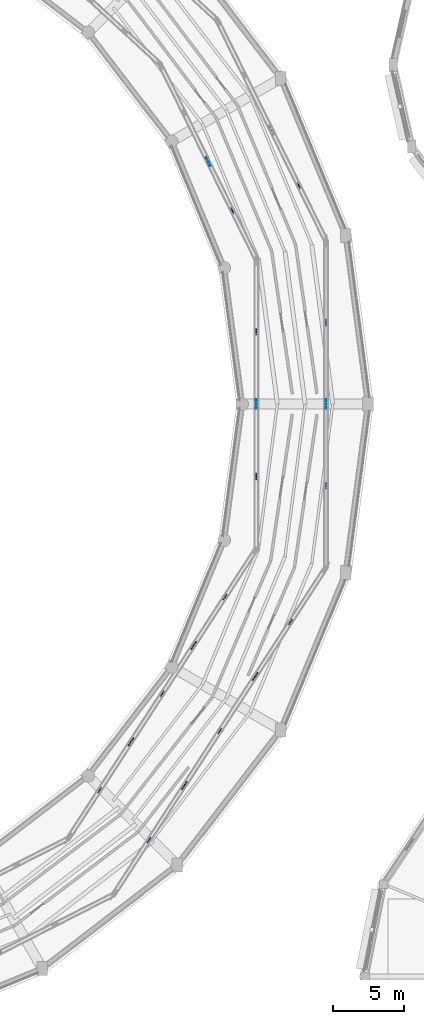
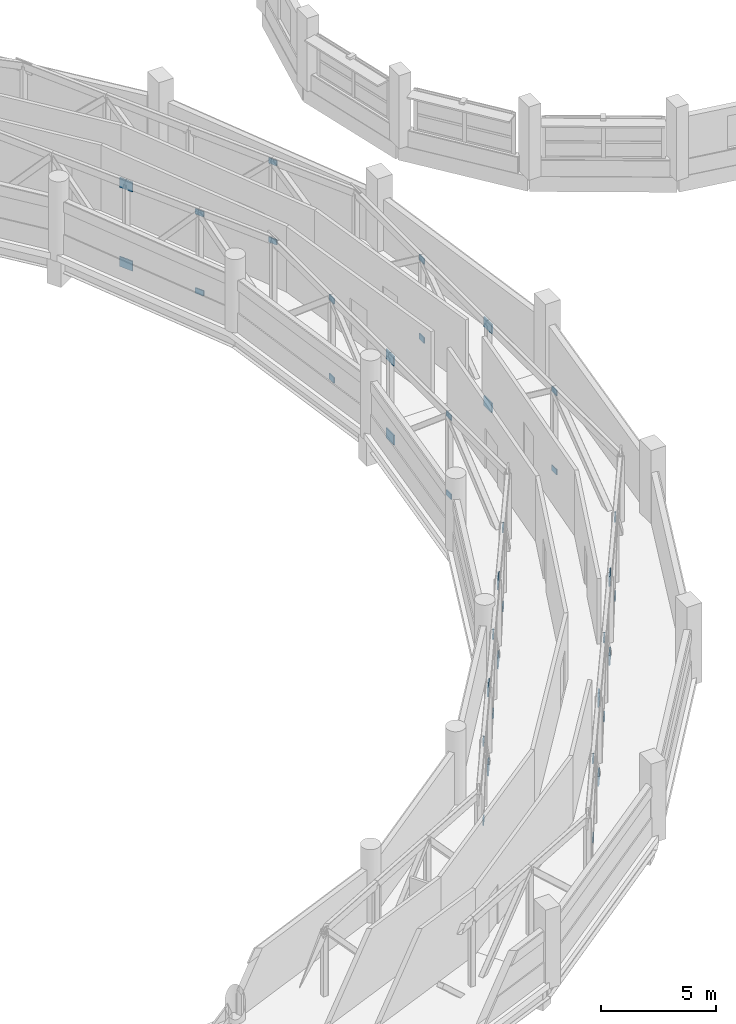
# One storey, part 98 of 121: 38 plates.
"""IFC4 building model written with IfcOpenShell, lengths in metres."""

from ifc_helpers import new_model, si_unit, direction, frame, origin, origin_2d, place, context, subcontext, project, spatial, rectangle, extrude, material, layer, layer_set, type_object, element, save


model = new_model("IFC4")

# Units and contexts
model_context = context("Model", 3, precision=1e-05, world=origin(), true_north=direction((0.0, 1.0)))
body_context = subcontext(model_context, "Body", "Model", "MODEL_VIEW")
ifc_project = project(units=[si_unit("LENGTHUNIT", "METRE"), si_unit("AREAUNIT", "SQUARE_METRE"), si_unit("VOLUMEUNIT", "CUBIC_METRE"), si_unit("PLANEANGLEUNIT", "RADIAN"), si_unit("MASSUNIT", "GRAM", prefix="KILO")], contexts=[model_context])

# Site, building, storey
site_placement = place(None, origin())
site = spatial("IfcSite", under=ifc_project, at=site_placement, CompositionType="ELEMENT")
building_placement = place(site_placement, origin())
building = spatial("IfcBuilding", under=site, at=building_placement, Name="Vespera Passage Community Centre", CompositionType="ELEMENT")
storey_placement = place(building_placement, frame((0.0, 0.0, 8.699951171875)))
storey = spatial("IfcBuildingStorey", under=building, at=storey_placement, Name="L02", CompositionType="ELEMENT", Elevation=8.699951171875)

# Plates
ifc_material_1 = material(Name="Steel ASTM A572 Grade 50", Category="steel")
ifc_layer_1 = layer(ifc_material_1, 0.054931640625)
ifc_layer_set_1 = layer_set([ifc_layer_1], Name="Steel ASTM A572 Grade 50")
plate_type_1 = type_object("IfcPlateType", Name="PL-CAP-55", PredefinedType="SHEET", material=ifc_layer_set_1)
for number, where, z_axis, x_axis, name in (
    (1, (108.60400390625, 34.65771484375, -0.93017578125), (0.0, 0.0, 1.0), (0.544639035015, 0.838670567945, 0.0), "Truss TR1O Gusset Plate B2"),
    (2, (108.60400390625, 34.65771484375, 3.2802734375), (0.0, 0.0, 1.0), (0.544639035015, 0.838670567945, 0.0), "Truss TR1O Gusset Plate T2"),
    (3, (113.614013671875, 42.3720703125, -0.93017578125), (0.0, 0.0, 1.0), (0.544639035015, 0.838670567945, 0.0), "Truss TR1O Gusset Plate B4"),
    (4, (113.614013671875, 42.3720703125, 3.2802734375), (0.0, 0.0, 1.0), (0.544639035015, 0.838670567945, 0.0), "Truss TR1O Gusset Plate T4"),
    (5, (118.623779296875, 50.08642578125, -0.93017578125), (0.0, 0.0, 1.0), (0.544639035015, 0.838670567945, 0.0), "Truss TR1O Gusset Plate B6"),
    (6, (118.623779296875, 50.08642578125, 3.2802734375), (0.0, 0.0, 1.0), (0.544639035015, 0.838670567945, 0.0), "Truss TR1O Gusset Plate T6"),
    (7, (105.1083984375, 38.180419921875, -0.93017578125), (0.0, 0.0, 1.0), (0.544639035015, 0.838670567945, 0.0), "Truss TR1I Gusset Plate B2"),
    (8, (105.1083984375, 38.180419921875, 3.2802734375), (0.0, 0.0, 1.0), (0.544639035015, 0.838670567945, 0.0), "Truss TR1I Gusset Plate T2"),
    (9, (109.5458984375, 45.013916015625, -0.93017578125), (0.0, 0.0, 1.0), (0.544639035015, 0.838670567945, 0.0), "Truss TR1I Gusset Plate B4"),
    (10, (109.5458984375, 45.013916015625, 3.2802734375), (0.0, 0.0, 1.0), (0.544639035015, 0.838670567945, 0.0), "Truss TR1I Gusset Plate T4"),
    (11, (113.983642578125, 51.84716796875, -0.93017578125), (0.0, 0.0, 1.0), (0.544639035015, 0.838670567945, 0.0), "Truss TR1I Gusset Plate B6"),
    (12, (113.983642578125, 51.84716796875, 3.2802734375), (0.0, 0.0, 1.0), (0.544639035015, 0.838670567945, 0.0), "Truss TR1I Gusset Plate T6"),
    (13, (121.128662109375, 59.7216796875, -0.93017578125), (0.0, 0.0, 1.0), (0.0, 1.0, 0.0), "Truss TR5O Gusset Plate B2"),
    (14, (121.128662109375, 59.7216796875, 3.2802734375), (0.0, 0.0, 1.0), (0.0, 1.0, 0.0), "Truss TR5O Gusset Plate T2"),
    (15, (121.128662109375, 71.278076171875, -0.93017578125), (0.0, 0.0, 1.0), (0.0, 1.0, 0.0), "Truss TR5O Gusset Plate B4"),
    (16, (121.128662109375, 71.278076171875, 3.2802734375), (0.0, 0.0, 1.0), (0.0, 1.0, 0.0), "Truss TR5O Gusset Plate T4"),
    (17, (116.202392578125, 60.3818359375, -0.93017578125), (0.0, 0.0, 1.0), (0.0, 1.0, 0.0), "Truss TR5I Gusset Plate B2"),
    (18, (116.202392578125, 60.3818359375, 3.2802734375), (0.0, 0.0, 1.0), (0.0, 1.0, 0.0), "Truss TR5I Gusset Plate T2"),
    (19, (116.202392578125, 70.6181640625, -0.93017578125), (0.0, 0.0, 1.0), (0.0, 1.0, 0.0), "Truss TR5I Gusset Plate B4"),
    (20, (116.202392578125, 70.6181640625, 3.2802734375), (0.0, 0.0, 1.0), (0.0, 1.0, 0.0), "Truss TR5I Gusset Plate T4"),
    (21, (119.202392578125, 80.96240234375, -0.93017578125), (0.0, 0.0, 1.0), (-0.442288690219, 0.896872741533, 0.0), "Truss TR6O Gusset Plate B2"),
    (22, (119.202392578125, 80.96240234375, 3.2802734375), (0.0, 0.0, 1.0), (-0.442288690219, 0.896872741533, 0.0), "Truss TR6O Gusset Plate T2"),
    (23, (114.49609375, 79.1962890625, -0.93017578125), (0.0, 0.0, 1.0), (-0.442288690219, 0.896872741533, 0.0), "Truss TR6I Gusset Plate B2"),
    (24, (114.49609375, 79.1962890625, 3.2802734375), (0.0, 0.0, 1.0), (-0.442288690219, 0.896872741533, 0.0), "Truss TR6I Gusset Plate T2"),
):
    element("IfcPlate", number, at=place(storey_placement, frame(where, z_axis=z_axis, x_axis=x_axis)), inside=storey, type_object=plate_type_1, Name=name, PredefinedType="SHEET", context=body_context, shape_type="SweptSolid", body=[
        extrude(rectangle(XDim=0.43994140625, YDim=0.054931640625, at=origin_2d()), origin(), (0.0, 0.0, 1.0), 0.280029296875),
    ])
ifc_material_2 = material(Name="Steel ASTM A572 Grade 50", Category="steel")
ifc_layer_2 = layer(ifc_material_2, 0.06494140625)
ifc_layer_set_2 = layer_set([ifc_layer_2], Name="Steel ASTM A572 Grade 50")
plate_type_2 = type_object("IfcPlateType", Name="PL-GUS-65", PredefinedType="SHEET", material=ifc_layer_set_2)
for number, where, z_axis, x_axis, name in (
    (25, (111.10888671875, 38.514892578125, -1.050048828125), (0.0, 0.0, 1.0), (0.544639035015, 0.838670567945, 0.0), "Truss TR1O Gusset Plate B3"),
    (26, (111.10888671875, 38.514892578125, 3.16015625), (0.0, 0.0, 1.0), (0.544639035015, 0.838670567945, 0.0), "Truss TR1O Gusset Plate T3"),
    (27, (116.118896484375, 46.229248046875, -1.050048828125), (0.0, 0.0, 1.0), (0.544639035015, 0.838670567945, 0.0), "Truss TR1O Gusset Plate B5"),
    (28, (116.118896484375, 46.229248046875, 3.16015625), (0.0, 0.0, 1.0), (0.544639035015, 0.838670567945, 0.0), "Truss TR1O Gusset Plate T5"),
    (29, (107.3271484375, 41.59716796875, -1.050048828125), (0.0, 0.0, 1.0), (0.544639035015, 0.838670567945, 0.0), "Truss TR1I Gusset Plate B3"),
    (30, (107.3271484375, 41.59716796875, 3.16015625), (0.0, 0.0, 1.0), (0.544639035015, 0.838670567945, 0.0), "Truss TR1I Gusset Plate T3"),
    (31, (111.764892578125, 48.430419921875, -1.050048828125), (0.0, 0.0, 1.0), (0.544639035015, 0.838670567945, 0.0), "Truss TR1I Gusset Plate B5"),
    (32, (111.764892578125, 48.430419921875, 3.16015625), (0.0, 0.0, 1.0), (0.544639035015, 0.838670567945, 0.0), "Truss TR1I Gusset Plate T5"),
    (33, (121.128662109375, 65.5, -1.050048828125), (0.0, 0.0, 1.0), (0.0, 1.0, 0.0), "Truss TR5O Gusset Plate B3"),
    (34, (121.128662109375, 65.5, 3.16015625), (0.0, 0.0, 1.0), (0.0, 1.0, 0.0), "Truss TR5O Gusset Plate T3"),
    (35, (116.202392578125, 65.5, -1.050048828125), (0.0, 0.0, 1.0), (0.0, 1.0, 0.0), "Truss TR5I Gusset Plate B3"),
    (36, (116.202392578125, 65.5, 3.16015625), (0.0, 0.0, 1.0), (0.0, 1.0, 0.0), "Truss TR5I Gusset Plate T3"),
    (37, (112.789794921875, 82.656494140625, -1.050048828125), (0.0, 0.0, 1.0), (-0.442288690219, 0.896872741533, 0.0), "Truss TR6I Gusset Plate B3"),
    (38, (112.789794921875, 82.656494140625, 3.16015625), (0.0, 0.0, 1.0), (-0.442288690219, 0.896872741533, 0.0), "Truss TR6I Gusset Plate T3"),
):
    element("IfcPlate", number, at=place(storey_placement, frame(where, z_axis=z_axis, x_axis=x_axis)), inside=storey, type_object=plate_type_2, Name=name, PredefinedType="SHEET", context=body_context, shape_type="SweptSolid", body=[
        extrude(rectangle(XDim=0.679931640625, YDim=0.06494140625, at=origin_2d()), origin(), (0.0, 0.0, 1.0), 0.52001953125),
    ])

save(model, "model.ifc")
